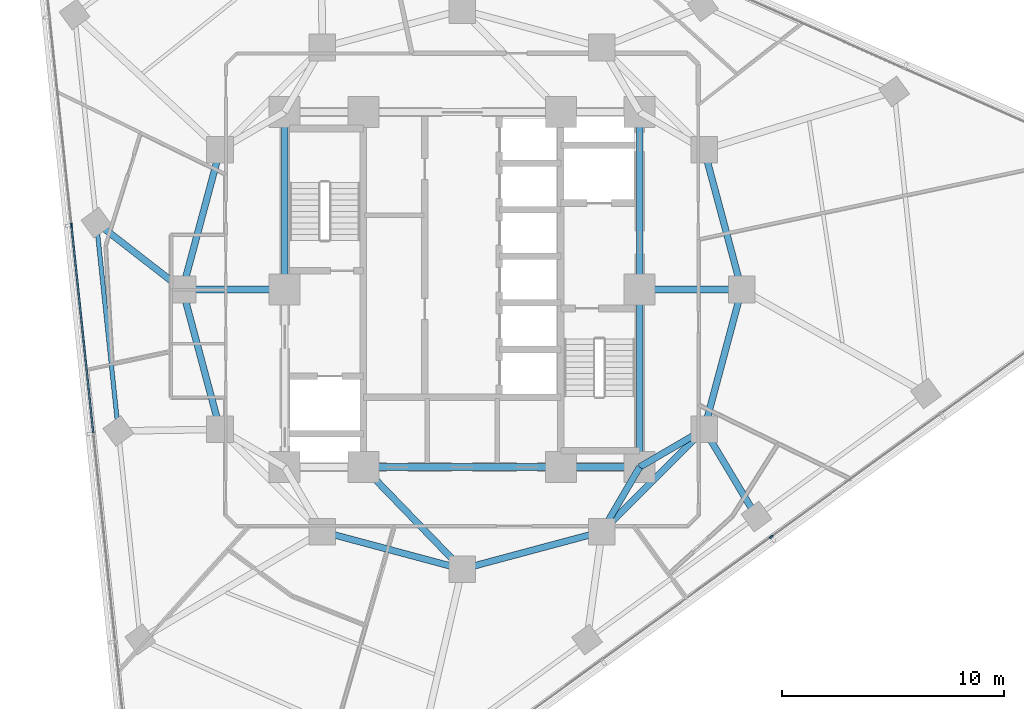
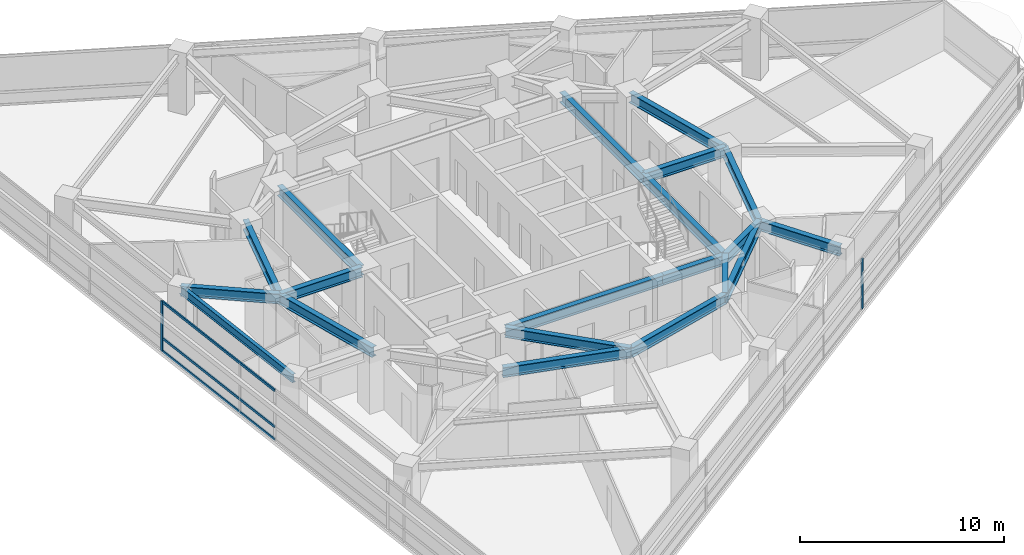
# One storey, part 3 of 14: 20 beams, 5 members, 2 elements without a shape of their own.
"""IFC4 building model written with IfcOpenShell, lengths in metres."""

from ifc_helpers import new_model, si_unit, direction, frame, origin, origin_2d, place, context, subcontext, project, spatial, rectangle, i_section, extrude, material, layer, layer_set, material_profile, profile_set, type_object, element, aggregate, save


model = new_model("IFC4")

# Units and contexts
model_context = context("Model", 3, precision=1e-05, world=origin(), true_north=direction((0.0, 1.0)))
body_context = subcontext(model_context, "Body", "Model", "MODEL_VIEW")
ifc_project = project(units=[si_unit("LENGTHUNIT", "METRE"), si_unit("AREAUNIT", "SQUARE_METRE"), si_unit("VOLUMEUNIT", "CUBIC_METRE"), si_unit("PLANEANGLEUNIT", "RADIAN"), si_unit("MASSUNIT", "GRAM", prefix="KILO")], contexts=[model_context])

# Site, building, storey
site_placement = place(None, origin())
site = spatial("IfcSite", under=ifc_project, at=site_placement, CompositionType="ELEMENT")
building_placement = place(site_placement, origin())
building = spatial("IfcBuilding", under=site, at=building_placement, Name="Terralouvre Media Tower", CompositionType="ELEMENT")
storey_placement = place(building_placement, frame((0.0, 0.0, 169.39990234375)))
storey = spatial("IfcBuildingStorey", under=building, at=storey_placement, Name="L43", CompositionType="ELEMENT", Elevation=169.39990234375)

# Curtain wall, members
ifc_material_1 = material(Name="Low-iron laminated double glazing with solar-control coating", Category="glass")
ifc_layer = layer(ifc_material_1, 0.1650390625, Name="Production Studio Tower Curtain Wall CW-03")
ifc_layer_set = layer_set([ifc_layer], Name="Low-iron laminated double glazing with solar-control coating")
curtain_wall_type = type_object("IfcCurtainWallType", Name="Production Studio Tower Curtain Wall CW-03", PredefinedType="NOTDEFINED", material=ifc_layer_set)
curtain_wall_1_placement = place(storey_placement, origin())
curtain_wall_1 = element("IfcCurtainWall", 1, at=curtain_wall_1_placement, inside=storey, type_object=curtain_wall_type, Name="L43 Facade Curtain Wall F2", PredefinedType="NOTDEFINED")
ifc_material_2 = material(Name="Anodised extruded aluminium 6063-T6", Category="aluminium")
ifc_material_profile_1 = material_profile(ifc_material_2, rectangle(XDim=0.074951171875, YDim=0.14990234375, at=origin_2d()), Name="ALU 75x150")
ifc_profile_set_1 = profile_set([ifc_material_profile_1], Name="Anodised extruded aluminium 6063-T6")
member_type_1 = type_object("IfcMemberType", Name="Curtain-Wall Horizontal Transom TR-150", PredefinedType="USERDEFINED", material=ifc_profile_set_1)
member_1_placement = place(storey_placement, frame((-17.6005859375, 2.8583984375, 0.03759765625), z_axis=(0.104512438861, -0.994523579471, 0.0), x_axis=(0.994523579471, 0.104512438861, 0.0)))
member_1 = element("IfcMember", 2, at=member_1_placement, type_object=member_type_1, Name="CW-03 transom 3.1", ObjectType="TRANSOM", PredefinedType="USERDEFINED", context=body_context, shape_type="SweptSolid", body=[
    extrude(rectangle(XDim=0.074951171875, YDim=0.14990234375, at=origin_2d()), origin(), (0.0, 0.0, 1.0), 9.364990234375),
])
member_2_placement = place(storey_placement, frame((-17.6005859375, 2.8583984375, 0.800048828125), z_axis=(0.104512438861, -0.994523579471, 0.0), x_axis=(0.994523579471, 0.104512438861, 0.0)))
member_2 = element("IfcMember", 3, at=member_2_placement, type_object=member_type_1, Name="CW-03 transom 3.2", ObjectType="TRANSOM", PredefinedType="USERDEFINED", context=body_context, shape_type="SweptSolid", body=[
    extrude(rectangle(XDim=0.074951171875, YDim=0.14990234375, at=origin_2d()), origin(), (0.0, 0.0, 1.0), 9.364990234375),
])
member_3_placement = place(storey_placement, frame((-17.6005859375, 2.8583984375, 2.962646484375), z_axis=(0.104512438861, -0.994523579471, 0.0), x_axis=(0.994523579471, 0.104512438861, 0.0)))
member_3 = element("IfcMember", 4, at=member_3_placement, type_object=member_type_1, Name="CW-03 transom 3.3", ObjectType="TRANSOM", PredefinedType="USERDEFINED", context=body_context, shape_type="SweptSolid", body=[
    extrude(rectangle(XDim=0.074951171875, YDim=0.14990234375, at=origin_2d()), origin(), (0.0, 0.0, 1.0), 9.364990234375),
])

# Curtain wall, member
curtain_wall_2_placement = place(storey_placement, origin())
curtain_wall_2 = element("IfcCurtainWall", 5, at=curtain_wall_2_placement, inside=storey, type_object=curtain_wall_type, Name="L43 Facade Curtain Wall F0", PredefinedType="NOTDEFINED")
ifc_material_3 = material(Name="Anodised extruded aluminium 6063-T6", Category="aluminium")
ifc_material_profile_2 = material_profile(ifc_material_3, rectangle(XDim=0.074951171875, YDim=0.179931640625, at=origin_2d()), Name="ALU 75x180")
ifc_profile_set_2 = profile_set([ifc_material_profile_2], Name="Anodised extruded aluminium 6063-T6")
member_type_2 = type_object("IfcMemberType", Name="Curtain-Wall Vertical Mullion ML-180", PredefinedType="MULLION", material=ifc_profile_set_2)
member_4_placement = place(storey_placement, frame((13.931640625, -11.145263671875, 0.0), z_axis=(0.0, 0.0, 1.0), x_axis=(-0.587785358263, 0.809016917383, 0.0)))
member_4 = element("IfcMember", 6, at=member_4_placement, type_object=member_type_2, Name="CW-03 mullion 4", PredefinedType="MULLION", context=body_context, shape_type="SweptSolid", body=[
    extrude(rectangle(XDim=0.074951171875, YDim=0.179931640625, at=origin_2d()), origin(), (0.0, 0.0, 1.0), 3.0),
])
aggregate(curtain_wall_2, [member_4])

# Member
member_5_placement = place(storey_placement, frame((-17.6044921875, 2.895751953125, 0.0), z_axis=(0.0, 0.0, 1.0), x_axis=(0.994521904516, 0.104528376236, 0.0)))
member_5 = element("IfcMember", 7, at=member_5_placement, type_object=member_type_2, Name="CW-03 mullion 3", PredefinedType="MULLION", context=body_context, shape_type="SweptSolid", body=[
    extrude(rectangle(XDim=0.074951171875, YDim=0.179931640625, at=origin_2d()), origin(), (0.0, 0.0, 1.0), 3.0),
])

aggregate(curtain_wall_1, [member_5, member_1, member_2, member_3])

# Beams
ifc_material_4 = material(Name="Structural steel S355J2", Category="steel")
ifc_material_profile_3 = material_profile(ifc_material_4, i_section(OverallWidth=0.199951171875, OverallDepth=0.5, WebThickness=0.01025390625, FlangeThickness=0.01611328125, at=origin_2d()), Name="IPE 500")
ifc_profile_set_3 = profile_set([ifc_material_profile_3], Name="Structural steel S355J2")
beam_type_1 = type_object("IfcBeamType", Name="Perimeter Spandrel Beam SPB-500 (IPE 500)", PredefinedType="SPANDREL", material=ifc_profile_set_3)
beam_1_placement = place(storey_placement, frame((-16.480712890625, 3.013916015625, 3.25), z_axis=(0.104508425148, -0.994524001255, 0.0), x_axis=(0.994524001255, 0.104508425148, 0.0)))
element("IfcBeam", 8, at=beam_1_placement, inside=storey, type_object=beam_type_1, Name="L43 Framing Beam BM-L43-PR12", PredefinedType="SPANDREL", context=body_context, shape_type="SweptSolid", body=[
    extrude(i_section(OverallWidth=0.199951171875, OverallDepth=0.5, WebThickness=0.01025390625, FlangeThickness=0.01611328125, at=origin_2d()), origin(), (0.0, 0.0, 1.0), 9.440185546875),
])
ifc_material_5 = material(Name="Structural steel S460M", Category="steel")
ifc_material_profile_4 = material_profile(ifc_material_5, i_section(OverallWidth=0.300048828125, OverallDepth=0.60009765625, WebThickness=0.015380859375, FlangeThickness=0.030029296875, at=origin_2d()), Name="HEB 600")
ifc_profile_set_4 = profile_set([ifc_material_profile_4], Name="Structural steel S460M")
beam_type_2 = type_object("IfcBeamType", Name="Primary Floor Girder B-HEB600 (HEB 600)", PredefinedType="BEAM", material=ifc_profile_set_4)
beam_2_placement = place(storey_placement, frame((-4.449951171875, -8.0, 3.2001953125), z_axis=(1.0, 0.0, 0.0), x_axis=(0.0, 1.0, 0.0)))
element("IfcBeam", 9, at=beam_2_placement, inside=storey, type_object=beam_type_2, Name="L43 Framing Beam BM-L43-CPR02", PredefinedType="BEAM", context=body_context, shape_type="SweptSolid", body=[
    extrude(i_section(OverallWidth=0.300048828125, OverallDepth=0.60009765625, WebThickness=0.015380859375, FlangeThickness=0.030029296875, at=origin_2d()), origin(), (0.0, 0.0, 1.0), 8.89990234375),
])
beam_3_placement = place(storey_placement, frame((4.449951171875, -8.0, 3.2001953125), z_axis=(1.0, 0.0, 0.0), x_axis=(0.0, 1.0, 0.0)))
element("IfcBeam", 10, at=beam_3_placement, inside=storey, type_object=beam_type_2, Name="L43 Framing Beam BM-L43-CPR03", PredefinedType="BEAM", context=body_context, shape_type="SweptSolid", body=[
    extrude(i_section(OverallWidth=0.300048828125, OverallDepth=0.60009765625, WebThickness=0.015380859375, FlangeThickness=0.030029296875, at=origin_2d()), origin(), (0.0, 0.0, 1.0), 3.550048828125),
])
for number, where, z_axis, x_axis, name in (
    (11, (8.0, -8.0, 3.2001953125), (0.0, 1.0, 0.0), (-1.0, 0.0, 0.0), "L43 Framing Beam BM-L43-CPR04"),
    (12, (8.0, 0.0, 3.2001953125), (0.0, 1.0, 0.0), (-1.0, 0.0, 0.0), "L43 Framing Beam BM-L43-CPR05"),
    (13, (-8.0, 8.0, 3.2001953125), (0.0, -1.0, 0.0), (1.0, 0.0, 0.0), "L43 Framing Beam BM-L43-CPR09"),
):
    element("IfcBeam", number, at=place(storey_placement, frame(where, z_axis=z_axis, x_axis=x_axis)), inside=storey, type_object=beam_type_2, Name=name, PredefinedType="BEAM", context=body_context, shape_type="SweptSolid", body=[
        extrude(i_section(OverallWidth=0.300048828125, OverallDepth=0.60009765625, WebThickness=0.015380859375, FlangeThickness=0.030029296875, at=origin_2d()), origin(), (0.0, 0.0, 1.0), 8.0),
    ])
for number, where, z_axis, x_axis, name in (
    (14, (-6.300048828125, -10.911865234375, 3.2001953125), (0.965920481897, -0.258838989821, 0.0), (0.258838989821, 0.965920481897, 0.0), "L43 Framing Beam BM-L43-MR02"),
    (15, (0.0, -12.60009765625, 3.2001953125), (0.965920481897, 0.258838989821, 0.0), (-0.258838989821, 0.965920481897, 0.0), "L43 Framing Beam BM-L43-MR03"),
):
    element("IfcBeam", number, at=place(storey_placement, frame(where, z_axis=z_axis, x_axis=x_axis)), inside=storey, type_object=beam_type_2, Name=name, PredefinedType="BEAM", context=body_context, shape_type="SweptSolid", body=[
        extrude(i_section(OverallWidth=0.300048828125, OverallDepth=0.60009765625, WebThickness=0.015380859375, FlangeThickness=0.030029296875, at=origin_2d()), origin(), (0.0, 0.0, 1.0), 6.522216796875),
    ])
beam_4_placement = place(storey_placement, frame((6.300048828125, -10.911865234375, 3.2001953125), z_axis=(0.707106781187, 0.707106781187, 0.0), x_axis=(-0.707106781187, 0.707106781187, 0.0)))
element("IfcBeam", 16, at=beam_4_placement, inside=storey, type_object=beam_type_2, Name="L43 Framing Beam BM-L43-MR04", PredefinedType="BEAM", context=body_context, shape_type="SweptSolid", body=[
    extrude(i_section(OverallWidth=0.300048828125, OverallDepth=0.60009765625, WebThickness=0.015380859375, FlangeThickness=0.030029296875, at=origin_2d()), origin(), (0.0, 0.0, 1.0), 6.52197265625),
])
for number, where, z_axis, x_axis, name in (
    (17, (10.911865234375, -6.300048828125, 3.2001953125), (0.258838989821, 0.965920481897, 0.0), (-0.965920481897, 0.258838989821, 0.0), "L43 Framing Beam BM-L43-MR05"),
    (18, (12.60009765625, 0.0, 3.2001953125), (-0.258838989821, 0.965920481897, 0.0), (-0.965920481897, -0.258838989821, 0.0), "L43 Framing Beam BM-L43-MR06"),
    (19, (-10.911865234375, 6.300048828125, 3.2001953125), (-0.258838989821, -0.965920481897, 0.0), (0.965920481897, -0.258838989821, 0.0), "L43 Framing Beam BM-L43-MR11"),
    (20, (-12.60009765625, 0.0, 3.2001953125), (0.258838989821, -0.965920481897, 0.0), (0.965920481897, 0.258838989821, 0.0), "L43 Framing Beam BM-L43-MR12"),
):
    element("IfcBeam", number, at=place(storey_placement, frame(where, z_axis=z_axis, x_axis=x_axis)), inside=storey, type_object=beam_type_2, Name=name, PredefinedType="BEAM", context=body_context, shape_type="SweptSolid", body=[
        extrude(i_section(OverallWidth=0.300048828125, OverallDepth=0.60009765625, WebThickness=0.015380859375, FlangeThickness=0.030029296875, at=origin_2d()), origin(), (0.0, 0.0, 1.0), 6.522216796875),
    ])
beam_5_placement = place(storey_placement, frame((-4.449951171875, -8.0, 3.2001953125), z_axis=(0.695279715726, -0.718739255155, 0.0), x_axis=(0.718739255155, 0.695279715726, 0.0)))
element("IfcBeam", 21, at=beam_5_placement, inside=storey, type_object=beam_type_2, Name="L43 Framing Beam BM-L43-CM03", PredefinedType="BEAM", context=body_context, shape_type="SweptSolid", body=[
    extrude(i_section(OverallWidth=0.300048828125, OverallDepth=0.60009765625, WebThickness=0.015380859375, FlangeThickness=0.030029296875, at=origin_2d()), origin(), (0.0, 0.0, 1.0), 6.400146484375),
])
for number, where, z_axis, x_axis, name in (
    (22, (8.0, -8.0, 3.2001953125), (-0.504172629717, -0.863602894532, 0.0), (0.863602894532, -0.504172629717, 0.0), "L43 Framing Beam BM-L43-CM04"),
    (23, (8.0, -8.0, 3.2001953125), (0.863602894532, 0.504172629717, 0.0), (-0.504172629717, 0.863602894532, 0.0), "L43 Framing Beam BM-L43-CM05"),
):
    element("IfcBeam", number, at=place(storey_placement, frame(where, z_axis=z_axis, x_axis=x_axis)), inside=storey, type_object=beam_type_2, Name=name, PredefinedType="BEAM", context=body_context, shape_type="SweptSolid", body=[
        extrude(i_section(OverallWidth=0.300048828125, OverallDepth=0.60009765625, WebThickness=0.015380859375, FlangeThickness=0.030029296875, at=origin_2d()), origin(), (0.0, 0.0, 1.0), 3.371826171875),
    ])
for number, where, z_axis, x_axis, name in (
    (24, (8.0, 0.0, 3.2001953125), (1.0, 0.0, 0.0), (0.0, 1.0, 0.0), "L43 Framing Beam BM-L43-CM06"),
    (25, (-8.0, 0.0, 3.2001953125), (-1.0, 0.0, 0.0), (0.0, -1.0, 0.0), "L43 Framing Beam BM-L43-CM12"),
):
    element("IfcBeam", number, at=place(storey_placement, frame(where, z_axis=z_axis, x_axis=x_axis)), inside=storey, type_object=beam_type_2, Name=name, PredefinedType="BEAM", context=body_context, shape_type="SweptSolid", body=[
        extrude(i_section(OverallWidth=0.300048828125, OverallDepth=0.60009765625, WebThickness=0.015380859375, FlangeThickness=0.030029296875, at=origin_2d()), origin(), (0.0, 0.0, 1.0), 4.60009765625),
    ])
beam_6_placement = place(storey_placement, frame((10.911865234375, -6.300048828125, 3.2001953125), z_axis=(0.514041286901, -0.857765443091, 0.0), x_axis=(0.857765443091, 0.514041286901, 0.0)))
element("IfcBeam", 26, at=beam_6_placement, inside=storey, type_object=beam_type_2, Name="L43 Framing Beam BM-L43-RD05", PredefinedType="BEAM", context=body_context, shape_type="SweptSolid", body=[
    extrude(i_section(OverallWidth=0.300048828125, OverallDepth=0.60009765625, WebThickness=0.015380859375, FlangeThickness=0.030029296875, at=origin_2d()), origin(), (0.0, 0.0, 1.0), 4.582763671875),
])
beam_7_placement = place(storey_placement, frame((-12.60009765625, 0.0, 3.2001953125), z_axis=(-0.78978010095, 0.613390081549, 0.0), x_axis=(-0.613390081549, -0.78978010095, 0.0)))
element("IfcBeam", 27, at=beam_7_placement, inside=storey, type_object=beam_type_2, Name="L43 Framing Beam BM-L43-RD12", PredefinedType="BEAM", context=body_context, shape_type="SweptSolid", body=[
    extrude(i_section(OverallWidth=0.300048828125, OverallDepth=0.60009765625, WebThickness=0.015380859375, FlangeThickness=0.030029296875, at=origin_2d()), origin(), (0.0, 0.0, 1.0), 4.91357421875),
])

save(model, "model.ifc")
